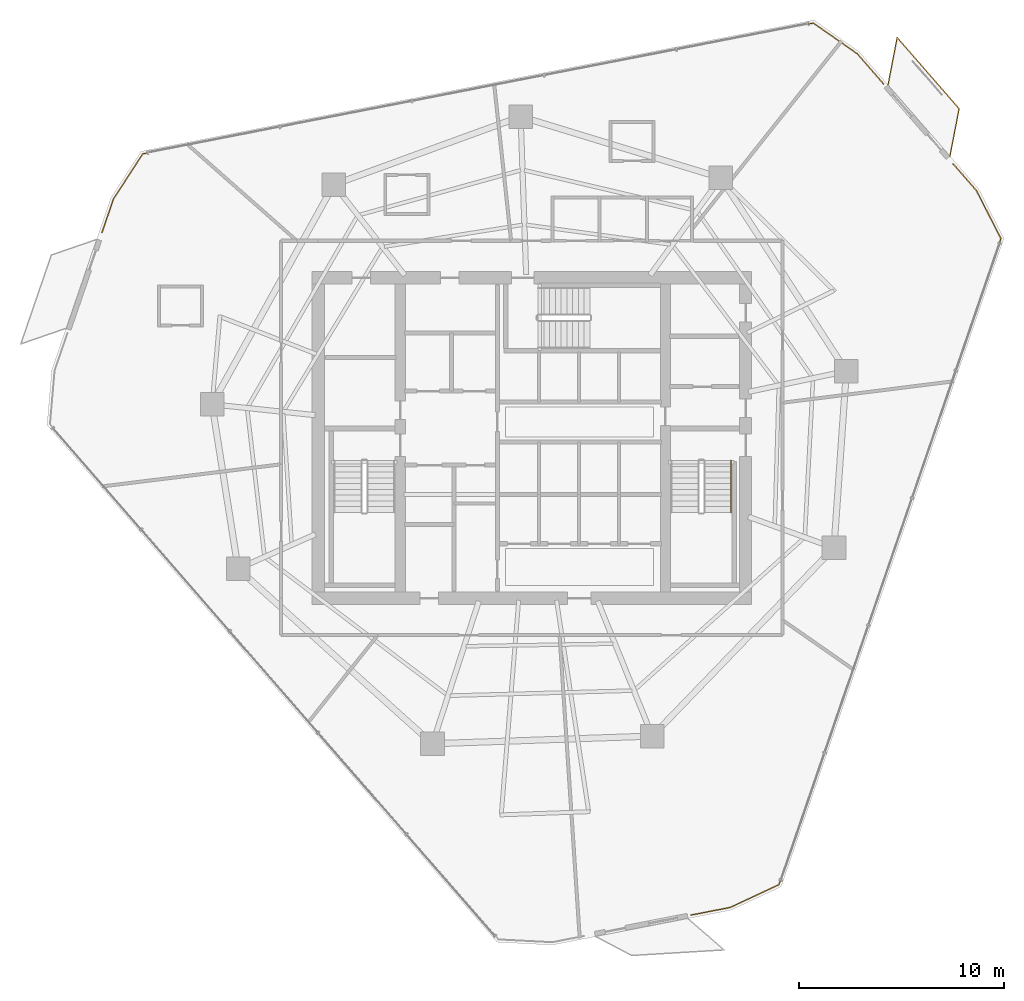
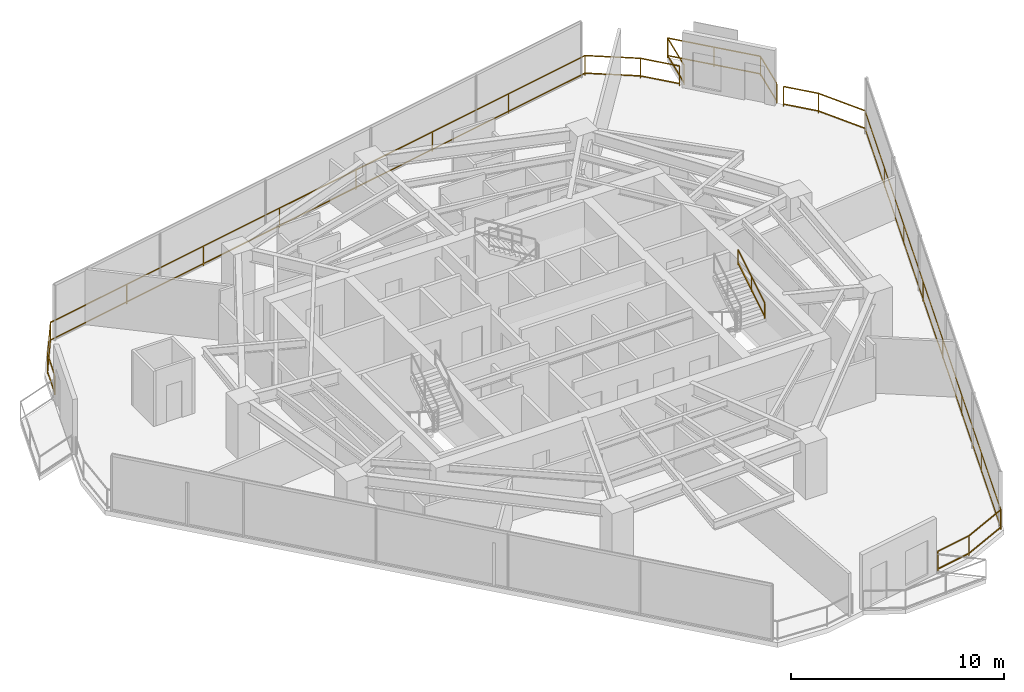
# One storey, part 27 of 27: 5 railings.
"""IFC4 building model written with IfcOpenShell, lengths in metres."""

from ifc_helpers import new_model, si_unit, direction, frame, origin, origin_2d, place, context, subcontext, project, spatial, rectangle, extrude, material, type_object, element, save


model = new_model("IFC4")

# Units and contexts
model_context = context("Model", 3, precision=1e-05, world=origin(), true_north=direction((0.0, 1.0)))
body_context = subcontext(model_context, "Body", "Model", "MODEL_VIEW")
ifc_project = project(units=[si_unit("LENGTHUNIT", "METRE"), si_unit("AREAUNIT", "SQUARE_METRE"), si_unit("VOLUMEUNIT", "CUBIC_METRE"), si_unit("PLANEANGLEUNIT", "RADIAN"), si_unit("MASSUNIT", "GRAM", prefix="KILO")], contexts=[model_context])

# Site, building, storey
site_placement = place(None, origin())
site = spatial("IfcSite", under=ifc_project, at=site_placement, CompositionType="ELEMENT")
building_placement = place(site_placement, origin())
building = spatial("IfcBuilding", under=site, at=building_placement, Name="Qarnah Convention Tower", CompositionType="ELEMENT")
storey_placement = place(building_placement, frame((0.0, 0.0, 107.39990234375)))
storey = spatial("IfcBuildingStorey", under=building, at=storey_placement, Name="L28", CompositionType="ELEMENT", Elevation=107.39990234375)

# Railings
ifc_material_1 = material(Name="Black anodised aluminium", Category="aluminium")
railing_type_1 = type_object("IfcRailingType", Name="RL-EXT-GUARD-1150", PredefinedType="GUARDRAIL", material=ifc_material_1)
railing_1_placement = place(storey_placement, frame((53.04296875, 45.095947265625, 0.0)))
element("IfcRailing", 1, at=railing_1_placement, inside=storey, type_object=railing_type_1, Name="L28 slab-edge perimeter safety guard 01", PredefinedType="GUARDRAIL", context=body_context, shape_type="SweptSolid", body=[
    extrude(rectangle(XDim=0.048095703125, YDim=0.048095703125, at=origin_2d()), frame((0.0, 0.0, 1.1259765625), z_axis=(0.656580107239, -0.754256297805, 0.0), x_axis=(0.754256297805, 0.656580107239, 0.0)), (0.0, 0.0, 1.0), 1.942138671875),
    extrude(rectangle(XDim=0.048095703125, YDim=0.048095703125, at=origin_2d()), frame((0.0, 0.0, 0.1201171875), z_axis=(0.656580107239, -0.754256297805, 0.0), x_axis=(0.754256297805, 0.656580107239, 0.0)), (0.0, 0.0, 1.0), 1.942138671875),
    extrude(rectangle(XDim=0.0419921875, YDim=0.0419921875, at=origin_2d()), origin(), (0.0, 0.0, 1.0), 1.101806640625),
    extrude(rectangle(XDim=0.0419921875, YDim=0.0419921875, at=origin_2d()), frame((1.275146484375, -1.46484375, 0.0)), (0.0, 0.0, 1.0), 1.101806640625),
])
railing_2_placement = place(storey_placement, frame((57.705078125, 39.740966796875, 0.0)))
element("IfcRailing", 2, at=railing_2_placement, inside=storey, type_object=railing_type_1, Name="L28 slab-edge perimeter safety guard 02", PredefinedType="GUARDRAIL", context=body_context, shape_type="SweptSolid", body=[
    extrude(rectangle(XDim=0.048095703125, YDim=0.048095703125, at=origin_2d()), frame((0.0, 0.0, 1.1259765625), z_axis=(0.656594356645, -0.75424389346, 0.0), x_axis=(0.75424389346, 0.656594356645, 0.0)), (0.0, 0.0, 1.0), 1.730224609375),
    extrude(rectangle(XDim=0.048095703125, YDim=0.048095703125, at=origin_2d()), frame((0.0, 0.0, 0.1201171875), z_axis=(0.656594356645, -0.75424389346, 0.0), x_axis=(0.75424389346, 0.656594356645, 0.0)), (0.0, 0.0, 1.0), 1.730224609375),
    extrude(rectangle(XDim=0.048095703125, YDim=0.048095703125, at=origin_2d()), frame((1.135986328125, -1.304931640625, 1.1259765625), z_axis=(0.45437054375, -0.890812779978, 0.0), x_axis=(0.890812779978, 0.45437054375, 0.0)), (0.0, 0.0, 1.0), 2.614501953125),
    extrude(rectangle(XDim=0.048095703125, YDim=0.048095703125, at=origin_2d()), frame((1.135986328125, -1.304931640625, 0.1201171875), z_axis=(0.45437054375, -0.890812779978, 0.0), x_axis=(0.890812779978, 0.45437054375, 0.0)), (0.0, 0.0, 1.0), 2.614501953125),
    extrude(rectangle(XDim=0.048095703125, YDim=0.048095703125, at=origin_2d()), frame((2.323974609375, -3.634033203125, 1.1259765625), z_axis=(-0.324892430058, -0.945750976151, 0.0), x_axis=(0.945750976151, -0.324892430058, 0.0)), (0.0, 0.0, 1.0), 33.25390625),
    extrude(rectangle(XDim=0.048095703125, YDim=0.048095703125, at=origin_2d()), frame((2.323974609375, -3.634033203125, 0.1201171875), z_axis=(-0.324892430058, -0.945750976151, 0.0), x_axis=(0.945750976151, -0.324892430058, 0.0)), (0.0, 0.0, 1.0), 33.25390625),
    extrude(rectangle(XDim=0.048095703125, YDim=0.048095703125, at=origin_2d()), frame((-8.47998046875, -35.083984375, 1.1259765625), z_axis=(-0.906054342515, -0.423161350326, 0.0), x_axis=(0.423161350326, -0.906054342515, 0.0)), (0.0, 0.0, 1.0), 2.615966796875),
    extrude(rectangle(XDim=0.048095703125, YDim=0.048095703125, at=origin_2d()), frame((-8.47998046875, -35.083984375, 0.1201171875), z_axis=(-0.906054342515, -0.423161350326, 0.0), x_axis=(0.423161350326, -0.906054342515, 0.0)), (0.0, 0.0, 1.0), 2.615966796875),
    extrude(rectangle(XDim=0.048095703125, YDim=0.048095703125, at=origin_2d()), frame((-10.85009765625, -36.19091796875, 1.1259765625), z_axis=(-0.981455977688, -0.191687672689, 0.0), x_axis=(0.191687672689, -0.981455977688, 0.0)), (0.0, 0.0, 1.0), 1.94091796875),
    extrude(rectangle(XDim=0.048095703125, YDim=0.048095703125, at=origin_2d()), frame((-10.85009765625, -36.19091796875, 0.1201171875), z_axis=(-0.981455977688, -0.191687672689, 0.0), x_axis=(0.191687672689, -0.981455977688, 0.0)), (0.0, 0.0, 1.0), 1.94091796875),
    extrude(rectangle(XDim=0.0419921875, YDim=0.0419921875, at=origin_2d()), origin(), (0.0, 0.0, 1.0), 1.101806640625),
    extrude(rectangle(XDim=0.0419921875, YDim=0.0419921875, at=origin_2d()), frame((1.135986328125, -1.304931640625, 0.0)), (0.0, 0.0, 1.0), 1.101806640625),
    extrude(rectangle(XDim=0.0419921875, YDim=0.0419921875, at=origin_2d()), frame((2.323974609375, -3.634033203125, 0.0)), (0.0, 0.0, 1.0), 1.101806640625),
    extrude(rectangle(XDim=0.0419921875, YDim=0.0419921875, at=origin_2d()), frame((0.780517578125, -8.126953125, 0.0)), (0.0, 0.0, 1.0), 1.101806640625),
    extrude(rectangle(XDim=0.0419921875, YDim=0.0419921875, at=origin_2d()), frame((-0.762939453125, -12.61962890625, 0.0)), (0.0, 0.0, 1.0), 1.101806640625),
    extrude(rectangle(XDim=0.0419921875, YDim=0.0419921875, at=origin_2d()), frame((-2.306396484375, -17.112548828125, 0.0)), (0.0, 0.0, 1.0), 1.101806640625),
    extrude(rectangle(XDim=0.0419921875, YDim=0.0419921875, at=origin_2d()), frame((-3.849609375, -21.60546875, 0.0)), (0.0, 0.0, 1.0), 1.101806640625),
    extrude(rectangle(XDim=0.0419921875, YDim=0.0419921875, at=origin_2d()), frame((-5.39306640625, -26.098388671875, 0.0)), (0.0, 0.0, 1.0), 1.101806640625),
    extrude(rectangle(XDim=0.0419921875, YDim=0.0419921875, at=origin_2d()), frame((-6.9365234375, -30.591064453125, 0.0)), (0.0, 0.0, 1.0), 1.101806640625),
    extrude(rectangle(XDim=0.0419921875, YDim=0.0419921875, at=origin_2d()), frame((-8.47998046875, -35.083984375, 0.0)), (0.0, 0.0, 1.0), 1.101806640625),
    extrude(rectangle(XDim=0.0419921875, YDim=0.0419921875, at=origin_2d()), frame((-10.85009765625, -36.19091796875, 0.0)), (0.0, 0.0, 1.0), 1.101806640625),
    extrude(rectangle(XDim=0.0419921875, YDim=0.0419921875, at=origin_2d()), frame((-12.755126953125, -36.56298828125, 0.0)), (0.0, 0.0, 1.0), 1.101806640625),
])
railing_3_placement = place(storey_placement, frame((16.27587890625, 36.39599609375, 0.0)))
element("IfcRailing", 3, at=railing_3_placement, inside=storey, type_object=railing_type_1, Name="L28 slab-edge perimeter safety guard 04", PredefinedType="GUARDRAIL", context=body_context, shape_type="SweptSolid", body=[
    extrude(rectangle(XDim=0.048095703125, YDim=0.048095703125, at=origin_2d()), frame((0.0, 0.0, 1.1259765625), z_axis=(0.324894375288, 0.945750307907, 0.0), x_axis=(-0.945750307907, 0.324894375288, 0.0)), (0.0, 0.0, 1.0), 1.729736328125),
    extrude(rectangle(XDim=0.048095703125, YDim=0.048095703125, at=origin_2d()), frame((0.0, 0.0, 0.1201171875), z_axis=(0.324894375288, 0.945750307907, 0.0), x_axis=(-0.945750307907, 0.324894375288, 0.0)), (0.0, 0.0, 1.0), 1.729736328125),
    extrude(rectangle(XDim=0.048095703125, YDim=0.048095703125, at=origin_2d()), frame((0.56201171875, 1.635986328125, 1.1259765625), z_axis=(0.544164466341, 0.838978565621, 0.0), x_axis=(-0.838978565621, 0.544164466341, 0.0)), (0.0, 0.0, 1.0), 2.615234375),
    extrude(rectangle(XDim=0.048095703125, YDim=0.048095703125, at=origin_2d()), frame((0.56201171875, 1.635986328125, 0.1201171875), z_axis=(0.544164466341, 0.838978565621, 0.0), x_axis=(-0.838978565621, 0.544164466341, 0.0)), (0.0, 0.0, 1.0), 2.615234375),
    extrude(rectangle(XDim=0.048095703125, YDim=0.048095703125, at=origin_2d()), frame((1.985107421875, 3.830078125, 1.1259765625), z_axis=(0.981494260554, 0.191491557256, 0.0), x_axis=(-0.191491557256, 0.981494260554, 0.0)), (0.0, 0.0, 1.0), 33.25439453125),
    extrude(rectangle(XDim=0.048095703125, YDim=0.048095703125, at=origin_2d()), frame((1.985107421875, 3.830078125, 0.1201171875), z_axis=(0.981494260554, 0.191491557256, 0.0), x_axis=(-0.191491557256, 0.981494260554, 0.0)), (0.0, 0.0, 1.0), 33.25439453125),
    extrude(rectangle(XDim=0.048095703125, YDim=0.048095703125, at=origin_2d()), frame((34.6240234375, 10.197998046875, 1.1259765625), z_axis=(0.819608986405, -0.572923301502, 0.0), x_axis=(0.572923301502, 0.819608986405, 0.0)), (0.0, 0.0, 1.0), 2.61474609375),
    extrude(rectangle(XDim=0.048095703125, YDim=0.048095703125, at=origin_2d()), frame((34.6240234375, 10.197998046875, 0.1201171875), z_axis=(0.819608986405, -0.572923301502, 0.0), x_axis=(0.572923301502, 0.819608986405, 0.0)), (0.0, 0.0, 1.0), 2.61474609375),
    extrude(rectangle(XDim=0.0419921875, YDim=0.0419921875, at=origin_2d()), origin(), (0.0, 0.0, 1.0), 1.101806640625),
    extrude(rectangle(XDim=0.0419921875, YDim=0.0419921875, at=origin_2d()), frame((0.56201171875, 1.635986328125, 0.0)), (0.0, 0.0, 1.0), 1.101806640625),
    extrude(rectangle(XDim=0.0419921875, YDim=0.0419921875, at=origin_2d()), frame((1.985107421875, 3.830078125, 0.0)), (0.0, 0.0, 1.0), 1.101806640625),
    extrude(rectangle(XDim=0.0419921875, YDim=0.0419921875, at=origin_2d()), frame((6.647705078125, 4.73974609375, 0.0)), (0.0, 0.0, 1.0), 1.101806640625),
    extrude(rectangle(XDim=0.0419921875, YDim=0.0419921875, at=origin_2d()), frame((11.310546875, 5.6494140625, 0.0)), (0.0, 0.0, 1.0), 1.101806640625),
    extrude(rectangle(XDim=0.0419921875, YDim=0.0419921875, at=origin_2d()), frame((15.97314453125, 6.55908203125, 0.0)), (0.0, 0.0, 1.0), 1.101806640625),
    extrude(rectangle(XDim=0.0419921875, YDim=0.0419921875, at=origin_2d()), frame((20.635986328125, 7.468994140625, 0.0)), (0.0, 0.0, 1.0), 1.101806640625),
    extrude(rectangle(XDim=0.0419921875, YDim=0.0419921875, at=origin_2d()), frame((25.298583984375, 8.378662109375, 0.0)), (0.0, 0.0, 1.0), 1.101806640625),
    extrude(rectangle(XDim=0.0419921875, YDim=0.0419921875, at=origin_2d()), frame((29.96142578125, 9.288330078125, 0.0)), (0.0, 0.0, 1.0), 1.101806640625),
    extrude(rectangle(XDim=0.0419921875, YDim=0.0419921875, at=origin_2d()), frame((34.6240234375, 10.197998046875, 0.0)), (0.0, 0.0, 1.0), 1.101806640625),
    extrude(rectangle(XDim=0.0419921875, YDim=0.0419921875, at=origin_2d()), frame((36.76708984375, 8.699951171875, 0.0)), (0.0, 0.0, 1.0), 1.101806640625),
])
railing_4_placement = place(storey_placement, frame((54.533935546875, 43.589111328125, 0.0)))
element("IfcRailing", 4, at=railing_4_placement, inside=storey, type_object=railing_type_1, Name="L28 balcony safety guard BAL-L28-C1", PredefinedType="GUARDRAIL", context=body_context, shape_type="SweptSolid", body=[
    extrude(rectangle(XDim=0.048095703125, YDim=0.048095703125, at=origin_2d()), frame((0.0, 0.0, 1.1259765625), z_axis=(0.1899928055, 0.981785482607, 0.0), x_axis=(-0.981785482607, 0.1899928055, 0.0)), (0.0, 0.0, 1.0), 2.34765625),
    extrude(rectangle(XDim=0.048095703125, YDim=0.048095703125, at=origin_2d()), frame((0.0, 0.0, 0.1201171875), z_axis=(0.1899928055, 0.981785482607, 0.0), x_axis=(-0.981785482607, 0.1899928055, 0.0)), (0.0, 0.0, 1.0), 2.34765625),
    extrude(rectangle(XDim=0.048095703125, YDim=0.048095703125, at=origin_2d()), frame((0.446044921875, 2.304931640625, 1.1259765625), z_axis=(0.656612282537, -0.754228288001, 0.0), x_axis=(0.754228288001, 0.656612282537, 0.0)), (0.0, 0.0, 1.0), 4.599365234375),
    extrude(rectangle(XDim=0.048095703125, YDim=0.048095703125, at=origin_2d()), frame((0.446044921875, 2.304931640625, 0.1201171875), z_axis=(0.656612282537, -0.754228288001, 0.0), x_axis=(0.754228288001, 0.656612282537, 0.0)), (0.0, 0.0, 1.0), 4.599365234375),
    extrude(rectangle(XDim=0.048095703125, YDim=0.048095703125, at=origin_2d()), frame((3.466064453125, -1.1640625, 1.1259765625), z_axis=(-0.1899928055, -0.981785482607, 0.0), x_axis=(0.981785482607, -0.1899928055, 0.0)), (0.0, 0.0, 1.0), 2.34765625),
    extrude(rectangle(XDim=0.048095703125, YDim=0.048095703125, at=origin_2d()), frame((3.466064453125, -1.1640625, 0.1201171875), z_axis=(-0.1899928055, -0.981785482607, 0.0), x_axis=(0.981785482607, -0.1899928055, 0.0)), (0.0, 0.0, 1.0), 2.34765625),
    extrude(rectangle(XDim=0.0419921875, YDim=0.0419921875, at=origin_2d()), origin(), (0.0, 0.0, 1.0), 1.101806640625),
    extrude(rectangle(XDim=0.0419921875, YDim=0.0419921875, at=origin_2d()), frame((0.446044921875, 2.304931640625, 0.0)), (0.0, 0.0, 1.0), 1.101806640625),
    extrude(rectangle(XDim=0.0419921875, YDim=0.0419921875, at=origin_2d()), frame((1.9560546875, 0.5703125, 0.0)), (0.0, 0.0, 1.0), 1.101806640625),
    extrude(rectangle(XDim=0.0419921875, YDim=0.0419921875, at=origin_2d()), frame((3.466064453125, -1.1640625, 0.0)), (0.0, 0.0, 1.0), 1.101806640625),
    extrude(rectangle(XDim=0.0419921875, YDim=0.0419921875, at=origin_2d()), frame((3.02001953125, -3.468994140625, 0.0)), (0.0, 0.0, 1.0), 1.101806640625),
])
ifc_material_2 = material(Name="Structural steel S355JR", Category="steel")
railing_type_2 = type_object("IfcRailingType", Name="RL-STAIR-HAND-900", PredefinedType="HANDRAIL", material=ifc_material_2)
railing_5_placement = place(storey_placement, frame((46.89990234375, 22.780029296875, 1.897705078125)))
element("IfcRailing", 5, at=railing_5_placement, inside=storey, type_object=railing_type_2, Name="L28 ST-2 stair handrail 2", PredefinedType="HANDRAIL", context=body_context, shape_type="SweptSolid", body=[
    extrude(rectangle(XDim=0.048095703125, YDim=0.048095703125, at=origin_2d()), frame((0.0, 0.0, 0.8759765625), z_axis=(0.0, 0.851400495292, 0.524516154772), x_axis=(-1.0, 0.0, 0.0)), (0.0, 0.0, 1.0), 2.9599609375),
    extrude(rectangle(XDim=0.048095703125, YDim=0.048095703125, at=origin_2d()), frame((0.0, 0.0, 0.1201171875), z_axis=(0.0, 0.851400495292, 0.524516154772), x_axis=(-1.0, 0.0, 0.0)), (0.0, 0.0, 1.0), 2.9599609375),
    extrude(rectangle(XDim=0.0419921875, YDim=0.0419921875, at=origin_2d()), origin(), (0.0, 0.0, 1.0), 0.851806640625),
    extrude(rectangle(XDim=0.0419921875, YDim=0.0419921875, at=origin_2d()), frame((0.0, 1.260009765625, 0.7763671875)), (0.0, 0.0, 1.0), 0.851806640625),
    extrude(rectangle(XDim=0.0419921875, YDim=0.0419921875, at=origin_2d()), frame((0.0, 2.52001953125, 1.552490234375)), (0.0, 0.0, 1.0), 0.851806640625),
])

save(model, "model.ifc")
